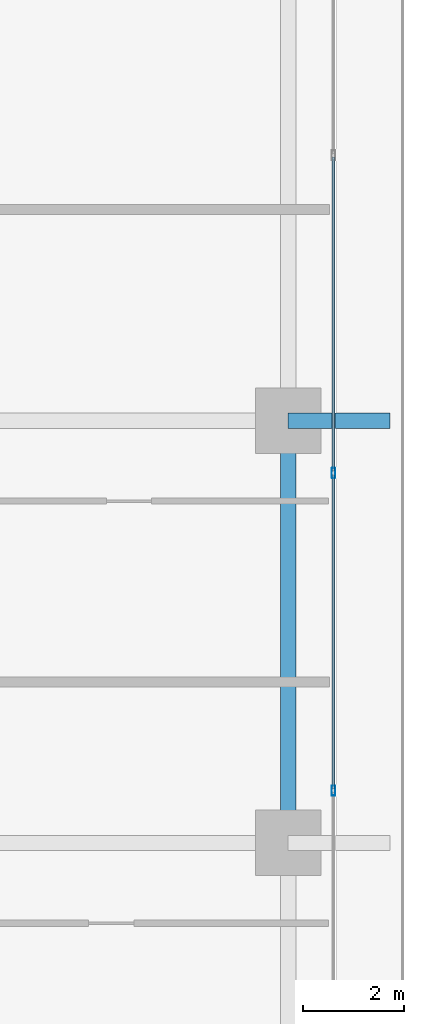
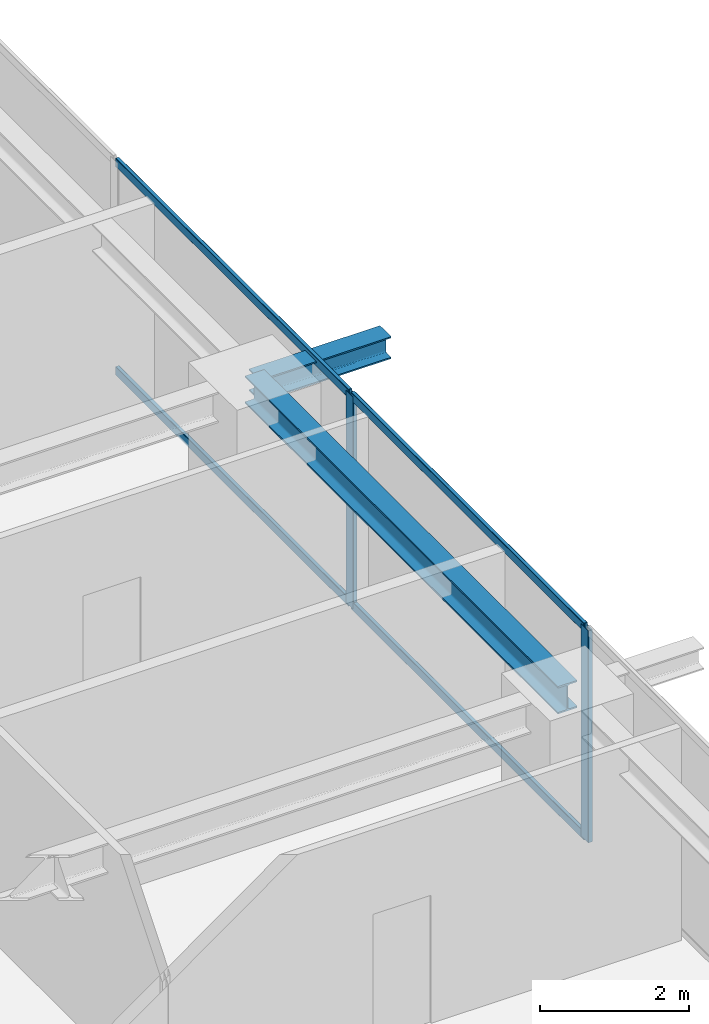
# One storey, part 15 of 39: 6 members, 2 beams, 1 element without a shape of its own.
"""IFC4 building model written with IfcOpenShell, lengths in metres."""

from ifc_helpers import new_model, si_unit, direction, frame, origin, origin_2d, place, context, subcontext, project, spatial, hollow_rectangle, i_section, extrude, source, transform, mapped, material, layer, layer_set, material_profile, profile_set, type_object, element, aggregate, save


model = new_model("IFC4")

# Units and contexts
model_context = context("Model", 3, precision=1e-05, world=origin(), true_north=direction((0.0, 1.0)))
body_context = subcontext(model_context, "Body", "Model", "MODEL_VIEW")
ifc_project = project(units=[si_unit("LENGTHUNIT", "METRE"), si_unit("AREAUNIT", "SQUARE_METRE"), si_unit("VOLUMEUNIT", "CUBIC_METRE"), si_unit("PLANEANGLEUNIT", "RADIAN"), si_unit("MASSUNIT", "GRAM", prefix="KILO")], contexts=[model_context])

# Site, building, storey
site_placement = place(None, origin())
site = spatial("IfcSite", under=ifc_project, at=site_placement, CompositionType="ELEMENT")
building_placement = place(site_placement, origin())
building = spatial("IfcBuilding", under=site, at=building_placement, Name="Serunith Strait Residences", CompositionType="ELEMENT")
storey_placement = place(building_placement, frame((0.0, 0.0, 123.89990234375)))
storey = spatial("IfcBuildingStorey", under=building, at=storey_placement, Name="L30", CompositionType="ELEMENT", Elevation=123.89990234375)

# Beams
ifc_material_1 = material(Name="Steel S355J2", Category="steel")
ifc_material_profile_1 = material_profile(ifc_material_1, i_section(OverallWidth=0.300048828125, OverallDepth=0.449951171875, WebThickness=0.013916015625, FlangeThickness=0.02587890625, FilletRadius=0.027099609375, at=origin_2d()), Name="HEB 450")
ifc_profile_set_1 = profile_set([ifc_material_profile_1], Name="Steel S355J2")
beam_type_1 = type_object("IfcBeamType", Name="BM-HEB450", PredefinedType="BEAM", material=ifc_profile_set_1)
shared_shape_1 = source(origin(), body_context, "Body", "SweptSolid", [
    extrude(i_section(OverallWidth=0.300048828125, OverallDepth=0.449951171875, WebThickness=0.013916015625, FlangeThickness=0.02587890625, FilletRadius=0.027099609375, at=origin_2d()), origin(), (0.0, 0.0, 1.0), 8.39990234375),
])
beam_1_placement = place(storey_placement, frame((56.10009765625, 21.0, 3.26220703125), z_axis=(0.0, 1.0, 0.0), x_axis=(-1.0, 0.0, 0.0)))
element("IfcBeam", 1, at=beam_1_placement, inside=storey, type_object=beam_type_1, Name="L30 Perimeter Ring Beam 06", PredefinedType="BEAM", context=body_context, shape_type="MappedRepresentation", body=[
    mapped(shared_shape_1, transform((0.0, 0.0, 0.0), scale=1.0)),
])
ifc_material_profile_2 = material_profile(ifc_material_1, i_section(OverallWidth=0.300048828125, OverallDepth=0.360107421875, WebThickness=0.012451171875, FlangeThickness=0.0224609375, FilletRadius=0.027099609375, at=origin_2d()), Name="HEB 360")
ifc_profile_set_2 = profile_set([ifc_material_profile_2], Name="Steel S355J2")
beam_type_2 = type_object("IfcBeamType", Name="BM-HEB360", PredefinedType="BEAM", material=ifc_profile_set_2)
shared_shape_2 = source(origin(), body_context, "Body", "SweptSolid", [
    extrude(i_section(OverallWidth=0.300048828125, OverallDepth=0.360107421875, WebThickness=0.012451171875, FlangeThickness=0.0224609375, FilletRadius=0.027099609375, at=origin_2d()), origin(), (0.0, 0.0, 1.0), 2.02978515625),
])
beam_2_placement = place(storey_placement, frame((56.10009765625, 29.39990234375, 3.277099609375), z_axis=(1.0, 0.0, 0.0), x_axis=(0.0, 1.0, 0.0)))
element("IfcBeam", 2, at=beam_2_placement, inside=storey, type_object=beam_type_2, Name="L31 Cantilevered Balcony Rib TC-E3", PredefinedType="BEAM", context=body_context, shape_type="MappedRepresentation", body=[
    mapped(shared_shape_2, transform((0.0, 0.0, 0.0), scale=1.0)),
])

# Curtain wall, members
ifc_material_2 = material(Name="Pale-Champagne Anodised Aluminium", Category="aluminium")
ifc_layer = layer(ifc_material_2, 0.199951171875, Name="Pale-Champagne Anodised Aluminium")
ifc_layer_set = layer_set([ifc_layer], Name="Pale-Champagne Anodised Aluminium")
curtain_wall_type = type_object("IfcCurtainWallType", Name="CW-SYS2", PredefinedType="NOTDEFINED", material=ifc_layer_set)
curtain_wall_placement = place(storey_placement, origin())
curtain_wall = element("IfcCurtainWall", 3, at=curtain_wall_placement, inside=storey, type_object=curtain_wall_type, Name="L30 E Unitised Fritted Curtain Wall", PredefinedType="NOTDEFINED")
ifc_material_profile_3 = material_profile(ifc_material_2, hollow_rectangle(XDim=0.070068359375, YDim=0.199951171875, WallThickness=0.00390625, InnerFilletRadius=0.006103515625, OuterFilletRadius=0.010009765625, at=origin_2d()), Name="ALU 200x70x4")
ifc_profile_set_3 = profile_set([ifc_material_profile_3], Name="Pale-Champagne Anodised Aluminium")
member_type_1 = type_object("IfcMemberType", Name="CW-SYS2-MULL", PredefinedType="MULLION", material=ifc_profile_set_3)
shared_shape_3 = source(origin(), body_context, "Body", "SweptSolid", [
    extrude(hollow_rectangle(XDim=0.070068359375, YDim=0.199951171875, WallThickness=0.00390625, InnerFilletRadius=0.006103515625, OuterFilletRadius=0.010009765625, at=origin_2d()), origin(), (0.0, 0.0, 1.0), 3.47509765625),
])
member_1_placement = place(storey_placement, frame((57.0, 22.0400390625, 0.0), z_axis=(0.0, 0.0, 1.0), x_axis=(-1.0, 0.0, 0.0)))
member_1 = element("IfcMember", 4, at=member_1_placement, type_object=member_type_1, Name="CW-2 mullion 3", PredefinedType="MULLION", context=body_context, shape_type="MappedRepresentation", body=[
    mapped(shared_shape_3, transform((0.0, 0.0, 0.0), scale=1.0)),
])
member_2_placement = place(storey_placement, frame((57.0, 28.360107421875, 0.0), z_axis=(0.0, 0.0, 1.0), x_axis=(-1.0, 0.0, 0.0)))
member_2 = element("IfcMember", 5, at=member_2_placement, type_object=member_type_1, Name="CW-2 mullion 4", PredefinedType="MULLION", context=body_context, shape_type="MappedRepresentation", body=[
    mapped(shared_shape_3, transform((0.0, 0.0, 0.0), scale=1.0)),
])
ifc_material_profile_4 = material_profile(ifc_material_2, hollow_rectangle(XDim=0.06005859375, YDim=0.139892578125, WallThickness=0.00341796875, InnerFilletRadius=0.00537109375, OuterFilletRadius=0.0087890625, at=origin_2d()), Name="ALU 140x60x3.5")
ifc_profile_set_4 = profile_set([ifc_material_profile_4], Name="Pale-Champagne Anodised Aluminium")
member_type_2 = type_object("IfcMemberType", Name="CW-SYS2-TRAN", PredefinedType="USERDEFINED", material=ifc_profile_set_4)
shared_shape_4 = source(origin(), body_context, "Body", "SweptSolid", [
    extrude(hollow_rectangle(XDim=0.06005859375, YDim=0.139892578125, WallThickness=0.00341796875, InnerFilletRadius=0.00537109375, OuterFilletRadius=0.0087890625, at=origin_2d()), origin(), (0.0, 0.0, 1.0), 6.25),
])
member_3_placement = place(storey_placement, frame((57.0, 22.074951171875, 0.030029296875), z_axis=(0.0, 1.0, 0.0), x_axis=(-1.0, 0.0, 0.0)))
member_3 = element("IfcMember", 6, at=member_3_placement, type_object=member_type_2, Name="CW-2 transom 3.1", ObjectType="TRANSOM", PredefinedType="USERDEFINED", context=body_context, shape_type="MappedRepresentation", body=[
    mapped(shared_shape_4, transform((0.0, 0.0, 0.0), scale=1.0)),
])
member_4_placement = place(storey_placement, frame((57.0, 22.074951171875, 3.445068359375), z_axis=(0.0, 1.0, 0.0), x_axis=(-1.0, 0.0, 0.0)))
member_4 = element("IfcMember", 7, at=member_4_placement, type_object=member_type_2, Name="CW-2 transom 3.2", ObjectType="TRANSOM", PredefinedType="USERDEFINED", context=body_context, shape_type="MappedRepresentation", body=[
    mapped(shared_shape_4, transform((0.0, 0.0, 0.0), scale=1.0)),
])
member_5_placement = place(storey_placement, frame((57.0, 28.39501953125, 0.030029296875), z_axis=(0.0, 1.0, 0.0), x_axis=(-1.0, 0.0, 0.0)))
member_5 = element("IfcMember", 8, at=member_5_placement, type_object=member_type_2, Name="CW-2 transom 4.1", ObjectType="TRANSOM", PredefinedType="USERDEFINED", context=body_context, shape_type="MappedRepresentation", body=[
    mapped(shared_shape_4, transform((0.0, 0.0, 0.0), scale=1.0)),
])
member_6_placement = place(storey_placement, frame((57.0, 28.39501953125, 3.445068359375), z_axis=(0.0, 1.0, 0.0), x_axis=(-1.0, 0.0, 0.0)))
member_6 = element("IfcMember", 9, at=member_6_placement, type_object=member_type_2, Name="CW-2 transom 4.2", ObjectType="TRANSOM", PredefinedType="USERDEFINED", context=body_context, shape_type="MappedRepresentation", body=[
    mapped(shared_shape_4, transform((0.0, 0.0, 0.0), scale=1.0)),
])
aggregate(curtain_wall, [member_1, member_2, member_3, member_4, member_5, member_6])

save(model, "model.ifc")
